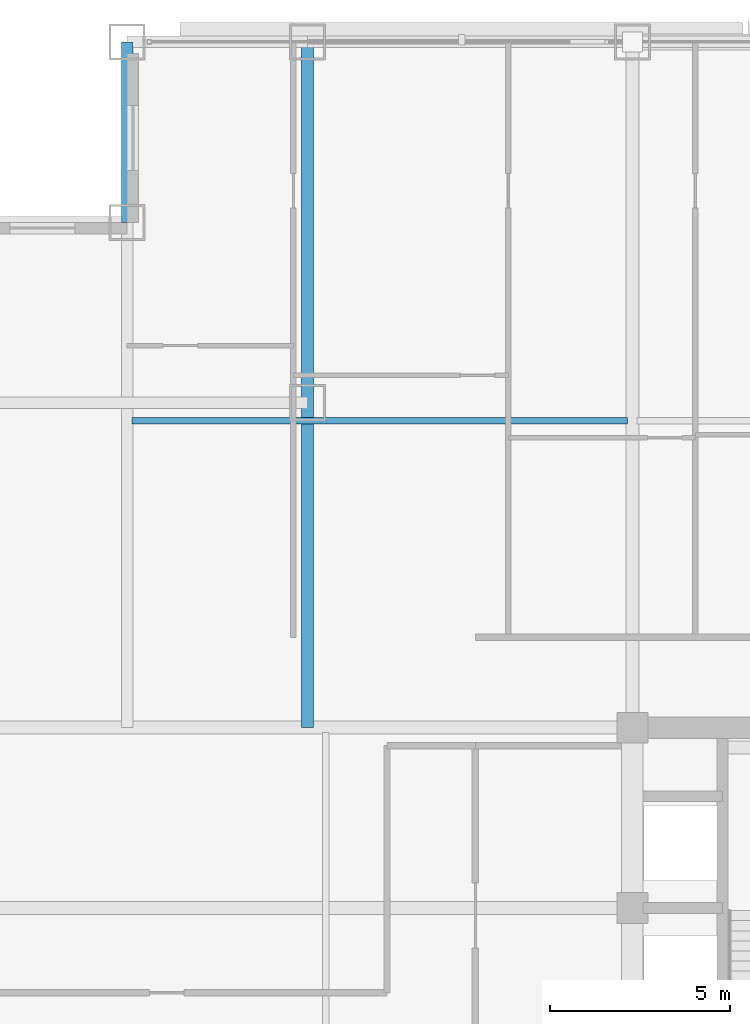
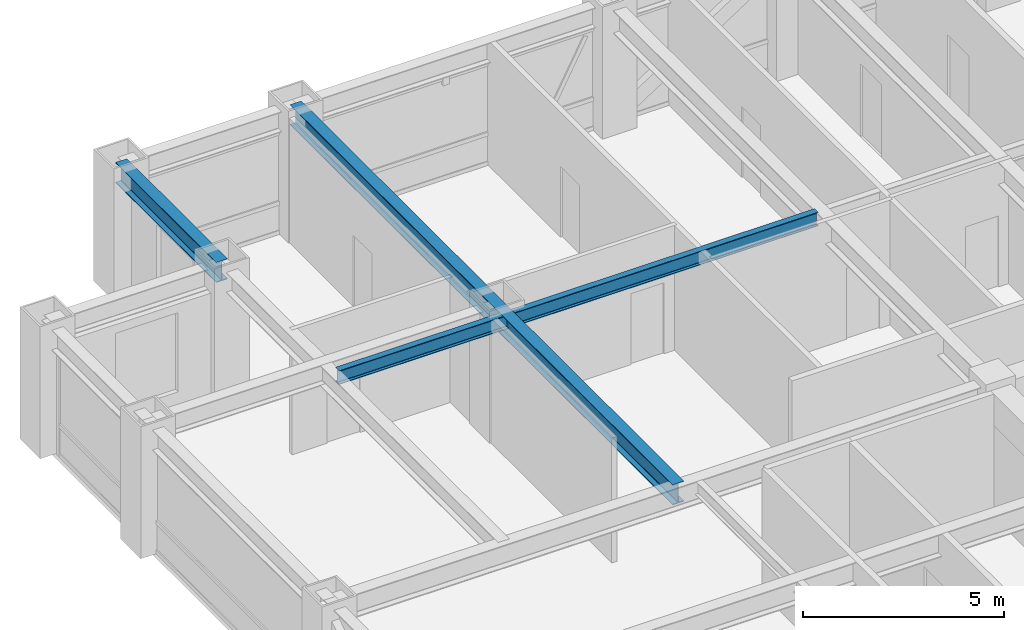
# One storey, part 13 of 29: 3 beams.
"""IFC4 building model written with IfcOpenShell, lengths in metres."""

from ifc_helpers import new_model, si_unit, direction, frame, origin, origin_2d, place, context, subcontext, project, spatial, i_section, extrude, source, transform, mapped, material, material_profile, profile_set, type_object, element, save


model = new_model("IFC4")

# Units and contexts
model_context = context("Model", 3, precision=1e-05, world=origin(), true_north=direction((0.0, 1.0)))
body_context = subcontext(model_context, "Body", "Model", "MODEL_VIEW")
ifc_project = project(units=[si_unit("LENGTHUNIT", "METRE"), si_unit("AREAUNIT", "SQUARE_METRE"), si_unit("VOLUMEUNIT", "CUBIC_METRE"), si_unit("PLANEANGLEUNIT", "RADIAN"), si_unit("MASSUNIT", "GRAM", prefix="KILO")], contexts=[model_context])

# Site, building, storey
site_placement = place(None, origin())
site = spatial("IfcSite", under=ifc_project, at=site_placement, CompositionType="ELEMENT")
building_placement = place(site_placement, origin())
building = spatial("IfcBuilding", under=site, at=building_placement, Name="Khorayat Bourse Tower", CompositionType="ELEMENT")
storey_placement = place(building_placement, frame((0.0, 0.0, 243.10009765625)))
storey = spatial("IfcBuildingStorey", under=building, at=storey_placement, Name="L57", CompositionType="ELEMENT", Elevation=243.10009765625)

# Beams
ifc_material = material(Name="Steel ASTM A992 Grade 50", Category="steel")
ifc_material_profile_1 = material_profile(ifc_material, i_section(OverallWidth=0.324951171875, OverallDepth=0.615966796875, WebThickness=0.013916015625, FlangeThickness=0.021484375, FilletRadius=0.01611328125, at=origin_2d()), Name="W610X174")
ifc_profile_set_1 = profile_set([ifc_material_profile_1], Name="Steel ASTM A992 Grade 50")
beam_type_1 = type_object("IfcBeamType", Name="BM-GIRD-610", PredefinedType="BEAM", material=ifc_profile_set_1)
shared_shape_1 = source(origin(), body_context, "Body", "SweptSolid", [
    extrude(i_section(OverallWidth=0.324951171875, OverallDepth=0.615966796875, WebThickness=0.013916015625, FlangeThickness=0.021484375, FilletRadius=0.01611328125, at=origin_2d()), origin(), (0.0, 0.0, 1.0), 19.0),
])
beam_1_placement = place(storey_placement, frame((-20.0, 11.0, 3.471923828125), z_axis=(0.0, 1.0, 0.0), x_axis=(-1.0, 0.0, 0.0)))
element("IfcBeam", 1, at=beam_1_placement, inside=storey, type_object=beam_type_1, Name="L57 BM-GIRD-610 BM-L57-CNRY-085", PredefinedType="BEAM", context=body_context, shape_type="MappedRepresentation", body=[
    mapped(shared_shape_1, transform((0.0, 0.0, 0.0), scale=1.0)),
])
ifc_material_profile_2 = material_profile(ifc_material, i_section(OverallWidth=0.324951171875, OverallDepth=0.615966796875, WebThickness=0.013916015625, FlangeThickness=0.021484375, FilletRadius=0.01611328125, at=origin_2d()), Name="W610X174")
ifc_profile_set_2 = profile_set([ifc_material_profile_2], Name="Steel ASTM A992 Grade 50")
beam_type_2 = type_object("IfcBeamType", Name="BM-SPAN-610", PredefinedType="SPANDREL", material=ifc_profile_set_2)
shared_shape_2 = source(origin(), body_context, "Body", "SweptSolid", [
    extrude(i_section(OverallWidth=0.324951171875, OverallDepth=0.615966796875, WebThickness=0.013916015625, FlangeThickness=0.021484375, FilletRadius=0.01611328125, at=origin_2d()), origin(), (0.0, 0.0, 1.0), 5.0),
])
beam_2_placement = place(storey_placement, frame((-25.0, 25.0, 3.471923828125), z_axis=(0.0, 1.0, 0.0), x_axis=(-1.0, 0.0, 0.0)))
element("IfcBeam", 2, at=beam_2_placement, inside=storey, type_object=beam_type_2, Name="L57 BM-SPAN-610 BM-L57-SPN-052", PredefinedType="SPANDREL", context=body_context, shape_type="MappedRepresentation", body=[
    mapped(shared_shape_2, transform((0.0, 0.0, 0.0), scale=1.0)),
])
ifc_material_profile_3 = material_profile(ifc_material, i_section(OverallWidth=0.180908203125, OverallDepth=0.4169921875, WebThickness=0.010986328125, FlangeThickness=0.018310546875, FilletRadius=0.011962890625, at=origin_2d()), Name="W410X85")
ifc_profile_set_3 = profile_set([ifc_material_profile_3], Name="Steel ASTM A992 Grade 50")
beam_type_3 = type_object("IfcBeamType", Name="BM-JOIST-410", PredefinedType="JOIST", material=ifc_profile_set_3)
shared_shape_3 = source(origin(), body_context, "Body", "SweptSolid", [
    extrude(i_section(OverallWidth=0.180908203125, OverallDepth=0.4169921875, WebThickness=0.010986328125, FlangeThickness=0.018310546875, FilletRadius=0.011962890625, at=origin_2d()), origin(), (0.0, 0.0, 1.0), 13.740234375),
])
beam_3_placement = place(storey_placement, frame((-24.8701171875, 19.5, 3.5712890625), z_axis=(1.0, 0.0, 0.0), x_axis=(0.0, 1.0, 0.0)))
element("IfcBeam", 3, at=beam_3_placement, inside=storey, type_object=beam_type_3, Name="L57 BM-JOIST-410 BM-L57-JSTX-099", PredefinedType="JOIST", context=body_context, shape_type="MappedRepresentation", body=[
    mapped(shared_shape_3, transform((0.0, 0.0, 0.0), scale=1.0)),
])

save(model, "model.ifc")
